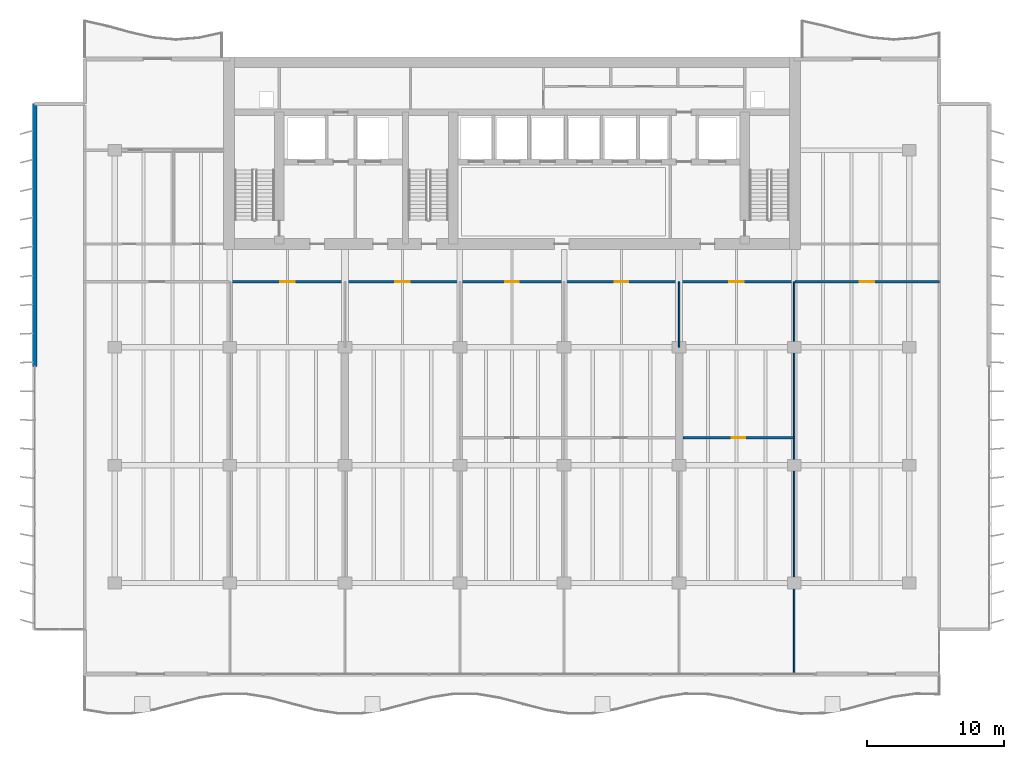
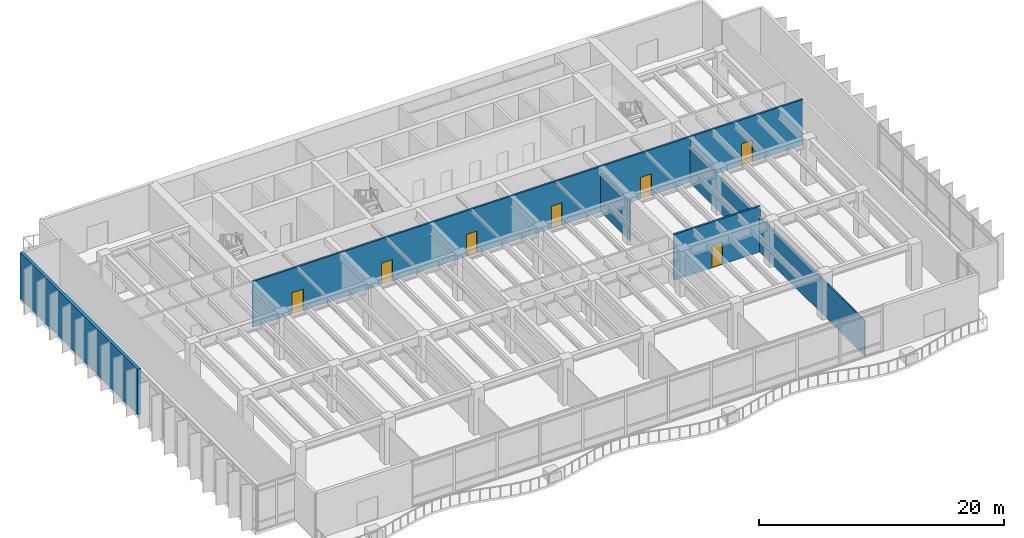
# One storey, part 9 of 16: 7 doors, 6 walls, 7 openings.
"""IFC4 building model written with IfcOpenShell, lengths in metres."""

import ifcopenshell
import ifcopenshell.guid

model = None  # the IFC model being written
_history = None  # IfcOwnerHistory: only IFC2X3 demands one
_inside = {}  # id of a spatial element -> (the spatial element, [elements in it])
_under = {}  # id of a project, library or spatial element -> (it, [spatial elements below it])
_declared = {}  # id of a project -> (the project, [libraries it declares])
_typed = {}  # id of a type object -> (the type object, [elements of that type])
_made_of = {}  # id of a material, layer set ... -> (it, [elements and type objects made of it])


def new_model(schema):
    """Start an empty IFC model of exactly this schema.

    Asked for "IFC4X3", IfcOpenShell would pick the latest addendum, in which some entities
    have other attributes; the version numbers below select the first issue.
    IFC2X3 requires an IfcOwnerHistory on every rooted entity: one is made here for all.
    """
    global model, _history
    if schema == "IFC4X3":
        model = ifcopenshell.file(schema_version=(4, 3, 0, 0))
    else:
        model = ifcopenshell.file(schema=schema)
    _inside.clear()
    _under.clear()
    _declared.clear()
    _typed.clear()
    _made_of.clear()
    _history = None
    if model.schema == "IFC2X3":
        org = make("IfcOrganization", Name="unknown")
        user = make(
            "IfcPersonAndOrganization",
            ThePerson=make("IfcPerson", FamilyName="unknown"),
            TheOrganization=org,
        )
        app = make(
            "IfcApplication",
            ApplicationDeveloper=org,
            Version="unknown",
            ApplicationFullName="unknown",
            ApplicationIdentifier="unknown",
        )
        _history = make(
            "IfcOwnerHistory",
            OwningUser=user,
            OwningApplication=app,
            ChangeAction="ADDED",
            CreationDate=0,
        )
    return model


def make(cls, **values):
    """One entity of the class cls with the attributes given. An attribute that is None is left unset."""
    return model.create_entity(
        cls, **{name: value for name, value in values.items() if value is not None}
    )


def rooted(cls, **values):
    """An entity with a GlobalId (a new one), such as an element, a storey or a relation."""
    return make(cls, GlobalId=ifcopenshell.guid.new(), OwnerHistory=_history, **values)


def si_unit(unit_type, name, prefix=None):
    """IfcSIUnit, for example si_unit("LENGTHUNIT", "METRE", prefix="MILLI")."""
    return make("IfcSIUnit", UnitType=unit_type, Prefix=prefix, Name=name)


def assignment(units):
    """IfcUnitAssignment: the units of a project."""
    return None if units is None else make("IfcUnitAssignment", Units=units)


def point(xyz):
    """IfcCartesianPoint."""
    return None if xyz is None else make("IfcCartesianPoint", Coordinates=xyz)


def direction(xyz):
    """IfcDirection."""
    return None if xyz is None else make("IfcDirection", DirectionRatios=xyz)


def frame(location, z_axis=None, x_axis=None):
    """IfcAxis2Placement3D, a coordinate frame: its origin and axes. An axis left out is left unset."""
    return make(
        "IfcAxis2Placement3D",
        Location=point(location),
        Axis=direction(z_axis),
        RefDirection=direction(x_axis),
    )


def frame_2d(location, x_axis=None):
    """IfcAxis2Placement2D, a coordinate frame in the plane: its origin and x axis."""
    return make(
        "IfcAxis2Placement2D", Location=point(location), RefDirection=direction(x_axis)
    )


def origin():
    """The frame at (0, 0, 0) with its axes left unset."""
    return frame((0.0, 0.0, 0.0))


def place(relative_to, where):
    """IfcLocalPlacement: puts the frame where relative to a parent placement (None: the world)."""
    return make(
        "IfcLocalPlacement", PlacementRelTo=relative_to, RelativePlacement=where
    )


def context(
    kind, dimensions, precision=None, world=None, true_north=None, identifier=None
):
    """IfcGeometricRepresentationContext, for example the 3D "Model" context."""
    return make(
        "IfcGeometricRepresentationContext",
        ContextIdentifier=identifier,
        ContextType=kind,
        CoordinateSpaceDimension=dimensions,
        Precision=precision,
        WorldCoordinateSystem=world,
        TrueNorth=true_north,
    )


def subcontext(parent, identifier, kind, view, scale=None):
    """IfcGeometricRepresentationSubContext, for example "Body" below "Model"."""
    return make(
        "IfcGeometricRepresentationSubContext",
        ContextIdentifier=identifier,
        ContextType=kind,
        ParentContext=parent,
        TargetScale=scale,
        TargetView=view,
    )


def project(units=None, contexts=None):
    """IfcProject with its units and contexts."""
    return rooted(
        "IfcProject",
        Name="project",
        RepresentationContexts=contexts,
        UnitsInContext=assignment(units),
    )


def spatial(cls, under=None, at=None, **own):
    """A site, building, storey or space (cls), placed at a placement, below another one or the project."""
    s = rooted(cls, ObjectPlacement=at, **own)
    if under is not None:
        _under.setdefault(under.id(), (under, []))[1].append(s)
    return s


def profile(cls, at=None, kind="AREA", **sizes):
    """A parametric profile (cls). Its sizes go by their IFC names, for example OverallWidth=200.0."""
    return make(cls, ProfileType=kind, Position=at, **sizes)


def rectangle(**sizes):
    """IfcRectangleProfileDef."""
    return profile("IfcRectangleProfileDef", **sizes)


def extrude(swept, where, along, depth):
    """IfcExtrudedAreaSolid: the profile swept, set in the frame where, extruded along a direction by depth."""
    return make(
        "IfcExtrudedAreaSolid",
        SweptArea=swept,
        Position=where,
        ExtrudedDirection=direction(along),
        Depth=depth,
    )


def shape(context_of_items, identifier, shape_type, items):
    """IfcShapeRepresentation: the items that make up one representation, for example the "Body"."""
    return make(
        "IfcShapeRepresentation",
        ContextOfItems=context_of_items,
        RepresentationIdentifier=identifier,
        RepresentationType=shape_type,
        Items=items,
    )


def material(Name=None, Category=None):
    """IfcMaterial."""
    return make("IfcMaterial", Name=Name, Category=Category)


def layer(
    of_material, thickness, ventilated=None, Name=None, Category=None, Priority=None
):
    """IfcMaterialLayer: one layer of a wall or slab, of a material (None: an air gap)."""
    return make(
        "IfcMaterialLayer",
        Material=of_material,
        LayerThickness=thickness,
        IsVentilated=ventilated,
        Name=Name,
        Category=Category,
        Priority=Priority,
    )


def layer_set(layers, Name=None):
    """IfcMaterialLayerSet."""
    return make("IfcMaterialLayerSet", MaterialLayers=layers, LayerSetName=Name)


def made_of(thing, what):
    """Note that an element or type object is made of a material, layer set ...; save() writes the relation."""
    if what is not None:
        _made_of.setdefault(what.id(), (what, []))[1].append(thing)
    return thing


def type_object(cls, material=None, **own):
    """A type object (cls), such as IfcWallType, which elements share."""
    return made_of(rooted(cls, **own), material)


def element(
    cls,
    number,
    at=None,
    inside=None,
    cuts=None,
    type_object=None,
    material=None,
    context=None,
    identifier="Body",
    shape_type=None,
    held_by="IfcProductDefinitionShape",
    body=None,
    shapes=None,
    **own,
):
    """One element of the class cls, such as IfcWall. Its Tag is "e" and its number.

    at: its placement. inside: the storey or other place that contains it. cuts: it is an
    opening in that element (IfcRelVoidsElement). A single representation is given by context,
    identifier, shape_type and body (its items); several are given by shapes. held_by: the class
    of the entity that holds the representations. save() writes the other relations.
    """
    e = rooted(cls, Tag="e%d" % number, ObjectPlacement=at, **own)
    if body is not None:
        shapes = [shape(context, identifier, shape_type, body)]
    if shapes is not None:
        e.Representation = make(held_by, Representations=shapes)
    if inside is not None:
        _inside.setdefault(inside.id(), (inside, []))[1].append(e)
    if cuts is not None:
        rooted(
            "IfcRelVoidsElement", RelatingBuildingElement=cuts, RelatedOpeningElement=e
        )
    if type_object is not None:
        _typed.setdefault(type_object.id(), (type_object, []))[1].append(e)
    return made_of(e, material)


def fill(opening, filler):
    """IfcRelFillsElement: the door or window that sits in an opening."""
    return rooted(
        "IfcRelFillsElement",
        RelatingOpeningElement=opening,
        RelatedBuildingElement=filler,
    )


def aggregate(whole, parts):
    """IfcRelAggregates: a whole, such as a stair, and the parts it consists of."""
    return rooted("IfcRelAggregates", RelatingObject=whole, RelatedObjects=parts)


def save(model, path):
    """Write the relations noted so far, then the file.

    IfcRelAggregates (storeys below a building ...), IfcRelContainedInSpatialStructure (elements
    in a storey), IfcRelDefinesByType, IfcRelAssociatesMaterial and IfcRelDeclares: one each for
    every whole, place, type object, material and project.
    """
    for whole, parts in _under.values():
        aggregate(whole, parts)
    for where, things in _inside.values():
        rooted(
            "IfcRelContainedInSpatialStructure",
            RelatedElements=things,
            RelatingStructure=where,
        )
    for kind, things in _typed.values():
        rooted("IfcRelDefinesByType", RelatedObjects=things, RelatingType=kind)
    for what, things in _made_of.values():
        rooted("IfcRelAssociatesMaterial", RelatedObjects=things, RelatingMaterial=what)
    for by, libraries in _declared.values():
        rooted("IfcRelDeclares", RelatingContext=by, RelatedDefinitions=libraries)
    model.write(path)


model = new_model("IFC4")

# Units and contexts
model_context = context("Model", 3, precision=1e-05, world=origin(), true_north=direction((0.0, 1.0)))
body_context = subcontext(model_context, "Body", "Model", "MODEL_VIEW")
ifc_project = project(units=[si_unit("LENGTHUNIT", "METRE"), si_unit("AREAUNIT", "SQUARE_METRE"), si_unit("VOLUMEUNIT", "CUBIC_METRE"), si_unit("PLANEANGLEUNIT", "RADIAN"), si_unit("MASSUNIT", "GRAM", prefix="KILO")], contexts=[model_context])

# Site, building, storey
site_placement = place(None, origin())
site = spatial("IfcSite", under=ifc_project, at=site_placement, CompositionType="ELEMENT")
building_placement = place(site_placement, origin())
building = spatial("IfcBuilding", under=site, at=building_placement, Name="Caelmar Bay Residences", CompositionType="ELEMENT")
storey_placement = place(building_placement, frame((0.0, 0.0, 97.800048828125)))
storey = spatial("IfcBuildingStorey", under=building, at=storey_placement, Name="L26", CompositionType="ELEMENT", Elevation=97.800048828125)

# Wall, opening, door
ifc_material_1 = material(Name="Double-stud acoustic fire-rated gypsum partition 180 mm")
ifc_layer_1 = layer(ifc_material_1, 0.179931640625)
ifc_layer_set_1 = layer_set([ifc_layer_1], Name="Double-stud acoustic fire-rated gypsum partition 180 mm")
wall_type_1 = type_object("IfcWallType", Name="W-COR-200", PredefinedType="PARTITIONING", material=ifc_layer_set_1)
wall_1_placement = place(storey_placement, frame((51.3701171875, 22.800048828125, 0.0), z_axis=(0.0, 0.0, 1.0), x_axis=(1.0, 0.0, 0.0)))
wall_1 = element("IfcWall", 1, at=wall_1_placement, inside=storey, type_object=wall_type_1, Name="L26 Partition Wall H030", PredefinedType="PARTITIONING", context=body_context, shape_type="SweptSolid", body=[
    extrude(rectangle(XDim=8.1298828125, YDim=0.179931640625, at=frame_2d((4.06494140625, 0.0))), origin(), (0.0, 0.0, 1.0), 4.550048828125),
])
opening_1_placement = place(wall_1_placement, frame((3.56494140625, 0.0, 0.0)))
opening_1 = element("IfcOpeningElement", 2, at=opening_1_placement, cuts=wall_1, Name="Opening D-L26-127", PredefinedType="OPENING", context=body_context, shape_type="SweptSolid", body=[
    extrude(rectangle(XDim=1.0, YDim=2.199951171875, at=frame_2d((0.5, 1.10009765625))), frame((0.0, 0.099853515625, 0.0), z_axis=(0.0, -1.0, 0.0), x_axis=(1.0, 0.0, 0.0)), (0.0, 0.0, 1.0), 0.199951171875),
])
ifc_material_2 = material(Name="Fire-rated steel and walnut architectural door assembly", Category="steel")
ifc_layer_2 = layer(ifc_material_2, 0.050048828125)
ifc_layer_set_2 = layer_set([ifc_layer_2], Name="Fire-rated steel and walnut architectural door assembly")
door_type_1 = type_object("IfcDoorType", Name="D-UNIT-1000", OperationType="NOTDEFINED", PredefinedType="DOOR", material=ifc_layer_set_2)
door_1_placement = place(opening_1_placement, origin())
door_1 = element("IfcDoor", 3, at=door_1_placement, inside=storey, type_object=door_type_1, Name="L26 Sky Lobby 1 Kitchen Door", OperationType="SINGLE_SWING_RIGHT", OverallHeight=2.199951171875, OverallWidth=1.0, PredefinedType="DOOR", context=body_context, shape_type="SweptSolid", body=[
    extrude(rectangle(XDim=1.0, YDim=2.199951171875, at=frame_2d((0.5, 1.10009765625))), frame((0.0, 0.02490234375, 0.0), z_axis=(0.0, -1.0, 0.0), x_axis=(1.0, 0.0, 0.0)), (0.0, 0.0, 1.0), 0.050048828125),
])
fill(opening_1, door_1)

# Wall, openings, doors
wall_2_placement = place(storey_placement, frame((18.300048828125, 34.199951171875, 0.0), z_axis=(0.0, 0.0, 1.0), x_axis=(1.0, 0.0, 0.0)))
wall_2 = element("IfcWall", 4, at=wall_2_placement, inside=storey, type_object=wall_type_1, Name="L26 Partition Wall H032", PredefinedType="PARTITIONING", context=body_context, shape_type="SweptSolid", body=[
    extrude(rectangle(XDim=41.199951171875, YDim=0.179931640625, at=frame_2d((20.60009765625, 0.0))), origin(), (0.0, 0.0, 1.0), 4.550048828125),
])
opening_2_placement = place(wall_2_placement, frame((36.47509765625, 0.0, 0.0)))
opening_2 = element("IfcOpeningElement", 5, at=opening_2_placement, cuts=wall_2, Name="Opening D-L26-125", PredefinedType="OPENING", context=body_context, shape_type="SweptSolid", body=[
    extrude(rectangle(XDim=1.050048828125, YDim=2.14990234375, at=frame_2d((0.52490234375, 1.074951171875))), frame((0.0, 0.099853515625, 0.0), z_axis=(0.0, -1.0, 0.0), x_axis=(1.0, 0.0, 0.0)), (0.0, 0.0, 1.0), 0.199951171875),
])
opening_3_placement = place(wall_2_placement, frame((3.675048828125, 0.0, 0.0)))
opening_3 = element("IfcOpeningElement", 6, at=opening_3_placement, cuts=wall_2, Name="Opening D-L26-129", PredefinedType="OPENING", context=body_context, shape_type="SweptSolid", body=[
    extrude(rectangle(XDim=1.050048828125, YDim=2.14990234375, at=frame_2d((0.52490234375, 1.074951171875))), frame((0.0, 0.099853515625, 0.0), z_axis=(0.0, -1.0, 0.0), x_axis=(1.0, 0.0, 0.0)), (0.0, 0.0, 1.0), 0.199951171875),
])
opening_4_placement = place(wall_2_placement, frame((12.074951171875, 0.0, 0.0)))
opening_4 = element("IfcOpeningElement", 7, at=opening_4_placement, cuts=wall_2, Name="Opening D-L26-130", PredefinedType="OPENING", context=body_context, shape_type="SweptSolid", body=[
    extrude(rectangle(XDim=1.050048828125, YDim=2.14990234375, at=frame_2d((0.52490234375, 1.074951171875))), frame((0.0, 0.099853515625, 0.0), z_axis=(0.0, -1.0, 0.0), x_axis=(1.0, 0.0, 0.0)), (0.0, 0.0, 1.0), 0.199951171875),
])
opening_5_placement = place(wall_2_placement, frame((20.10009765625, 0.0, 0.0)))
opening_5 = element("IfcOpeningElement", 8, at=opening_5_placement, cuts=wall_2, Name="Opening D-L26-131", PredefinedType="OPENING", context=body_context, shape_type="SweptSolid", body=[
    extrude(rectangle(XDim=1.0, YDim=2.199951171875, at=frame_2d((0.5, 1.10009765625))), frame((0.0, 0.099853515625, 0.0), z_axis=(0.0, -1.0, 0.0), x_axis=(1.0, 0.0, 0.0)), (0.0, 0.0, 1.0), 0.199951171875),
])
opening_6_placement = place(wall_2_placement, frame((28.10009765625, 0.0, 0.0)))
opening_6 = element("IfcOpeningElement", 9, at=opening_6_placement, cuts=wall_2, Name="Opening D-L26-132", PredefinedType="OPENING", context=body_context, shape_type="SweptSolid", body=[
    extrude(rectangle(XDim=1.0, YDim=2.199951171875, at=frame_2d((0.5, 1.10009765625))), frame((0.0, 0.099853515625, 0.0), z_axis=(0.0, -1.0, 0.0), x_axis=(1.0, 0.0, 0.0)), (0.0, 0.0, 1.0), 0.199951171875),
])
ifc_layer_3 = layer(ifc_material_2, 0.050048828125)
ifc_layer_set_3 = layer_set([ifc_layer_3], Name="Fire-rated steel and walnut architectural door assembly")
door_type_2 = type_object("IfcDoorType", Name="D-FSAE-1050", OperationType="NOTDEFINED", PredefinedType="DOOR", material=ifc_layer_set_3)
door_2_placement = place(opening_2_placement, origin())
door_2 = element("IfcDoor", 10, at=door_2_placement, inside=storey, type_object=door_type_2, Name="L26 Sky Lobby 1 Fitness Studio Door", OperationType="SINGLE_SWING_RIGHT", OverallHeight=2.14990234375, OverallWidth=1.050048828125, PredefinedType="DOOR", context=body_context, shape_type="SweptSolid", body=[
    extrude(rectangle(XDim=1.050048828125, YDim=2.14990234375, at=frame_2d((0.52490234375, 1.074951171875))), frame((0.0, 0.02490234375, 0.0), z_axis=(0.0, -1.0, 0.0), x_axis=(1.0, 0.0, 0.0)), (0.0, 0.0, 1.0), 0.050048828125),
])
fill(opening_2, door_2)
door_3_placement = place(opening_3_placement, origin())
door_3 = element("IfcDoor", 11, at=door_3_placement, inside=storey, type_object=door_type_2, Name="L26 Sky Lobby 1 Study Library Door", OperationType="SINGLE_SWING_RIGHT", OverallHeight=2.14990234375, OverallWidth=1.050048828125, PredefinedType="DOOR", context=body_context, shape_type="SweptSolid", body=[
    extrude(rectangle(XDim=1.050048828125, YDim=2.14990234375, at=frame_2d((0.52490234375, 1.074951171875))), frame((0.0, 0.02490234375, 0.0), z_axis=(0.0, -1.0, 0.0), x_axis=(1.0, 0.0, 0.0)), (0.0, 0.0, 1.0), 0.050048828125),
])
fill(opening_3, door_3)
door_4_placement = place(opening_4_placement, origin())
door_4 = element("IfcDoor", 12, at=door_4_placement, inside=storey, type_object=door_type_2, Name="L26 Sky Lobby 1 Residents Lounge Door", OperationType="SINGLE_SWING_LEFT", OverallHeight=2.14990234375, OverallWidth=1.050048828125, PredefinedType="DOOR", context=body_context, shape_type="SweptSolid", body=[
    extrude(rectangle(XDim=1.050048828125, YDim=2.14990234375, at=frame_2d((0.52490234375, 1.074951171875))), frame((0.0, 0.02490234375, 0.0), z_axis=(0.0, -1.0, 0.0), x_axis=(1.0, 0.0, 0.0)), (0.0, 0.0, 1.0), 0.050048828125),
])
fill(opening_4, door_4)
door_5_placement = place(opening_5_placement, origin())
door_5 = element("IfcDoor", 13, at=door_5_placement, inside=storey, type_object=door_type_1, Name="L26 Sky Lobby 1 Tea Pantry Door", OperationType="SINGLE_SWING_RIGHT", OverallHeight=2.199951171875, OverallWidth=1.0, PredefinedType="DOOR", context=body_context, shape_type="SweptSolid", body=[
    extrude(rectangle(XDim=1.0, YDim=2.199951171875, at=frame_2d((0.5, 1.10009765625))), frame((0.0, 0.02490234375, 0.0), z_axis=(0.0, -1.0, 0.0), x_axis=(1.0, 0.0, 0.0)), (0.0, 0.0, 1.0), 0.050048828125),
])
fill(opening_5, door_5)
door_6_placement = place(opening_6_placement, origin())
door_6 = element("IfcDoor", 14, at=door_6_placement, inside=storey, type_object=door_type_1, Name="L26 Sky Lobby 1 Service Kitchen Door", OperationType="SINGLE_SWING_LEFT", OverallHeight=2.199951171875, OverallWidth=1.0, PredefinedType="DOOR", context=body_context, shape_type="SweptSolid", body=[
    extrude(rectangle(XDim=1.0, YDim=2.199951171875, at=frame_2d((0.5, 1.10009765625))), frame((0.0, 0.02490234375, 0.0), z_axis=(0.0, -1.0, 0.0), x_axis=(1.0, 0.0, 0.0)), (0.0, 0.0, 1.0), 0.050048828125),
])
fill(opening_6, door_6)

# Wall, opening, door
wall_3_placement = place(storey_placement, frame((59.550048828125, 34.199951171875, 0.0), z_axis=(0.0, 0.0, 1.0), x_axis=(1.0, 0.0, 0.0)))
wall_3 = element("IfcWall", 15, at=wall_3_placement, inside=storey, type_object=wall_type_1, Name="L26 Partition Wall H033", PredefinedType="PARTITIONING", context=body_context, shape_type="SweptSolid", body=[
    extrude(rectangle(XDim=10.550048828125, YDim=0.179931640625, at=frame_2d((5.27490234375, 0.0))), origin(), (0.0, 0.0, 1.0), 4.550048828125),
])
opening_7_placement = place(wall_3_placement, frame((4.75, 0.0, 0.0)))
opening_7 = element("IfcOpeningElement", 16, at=opening_7_placement, cuts=wall_3, Name="Opening D-L26-126", PredefinedType="OPENING", context=body_context, shape_type="SweptSolid", body=[
    extrude(rectangle(XDim=1.050048828125, YDim=2.14990234375, at=frame_2d((0.52490234375, 1.074951171875))), frame((0.0, 0.099853515625, 0.0), z_axis=(0.0, -1.0, 0.0), x_axis=(1.0, 0.0, 0.0)), (0.0, 0.0, 1.0), 0.199951171875),
])
door_7_placement = place(opening_7_placement, origin())
door_7 = element("IfcDoor", 17, at=door_7_placement, inside=storey, type_object=door_type_2, Name="L26 Sky Lobby 1 Wellness Studio Door", OperationType="SINGLE_SWING_LEFT", OverallHeight=2.14990234375, OverallWidth=1.050048828125, PredefinedType="DOOR", context=body_context, shape_type="SweptSolid", body=[
    extrude(rectangle(XDim=1.050048828125, YDim=2.14990234375, at=frame_2d((0.52490234375, 1.074951171875))), frame((0.0, 0.02490234375, 0.0), z_axis=(0.0, -1.0, 0.0), x_axis=(1.0, 0.0, 0.0)), (0.0, 0.0, 1.0), 0.050048828125),
])
fill(opening_7, door_7)

# Walls
ifc_material_3 = material(Name="Precast concrete f'c 40 MPa (6,000 psi)", Category="concrete")
ifc_layer_4 = layer(ifc_material_3, 0.300048828125)
ifc_layer_set_4 = layer_set([ifc_layer_4], Name="Precast concrete f'c 40 MPa (6,000 psi)")
wall_type_2 = type_object("IfcWallType", Name="W-EXT-300", PredefinedType="STANDARD", material=ifc_layer_set_4)
wall_4_placement = place(storey_placement, frame((4.050048828125, 28.0, 0.0), z_axis=(0.0, 0.0, 1.0), x_axis=(0.0, 1.0, 0.0)))
element("IfcWall", 18, at=wall_4_placement, inside=storey, type_object=wall_type_2, Name="L26 West Rear Exterior Wall", PredefinedType="STANDARD", context=body_context, shape_type="SweptSolid", body=[
    extrude(rectangle(XDim=19.199951171875, YDim=0.300048828125, at=frame_2d((9.60009765625, 0.0))), origin(), (0.0, 0.0, 1.0), 4.550048828125),
])
ifc_material_4 = material(Name="Acoustic metal-stud gypsum partition 120 mm")
ifc_layer_5 = layer(ifc_material_4, 0.1201171875)
ifc_layer_set_5 = layer_set([ifc_layer_5], Name="Acoustic metal-stud gypsum partition 120 mm")
wall_type_3 = type_object("IfcWallType", Name="W-PRT-120", PredefinedType="PARTITIONING", material=ifc_layer_set_5)
wall_5_placement = place(storey_placement, frame((51.10009765625, 29.405029296875, 0.0), z_axis=(0.0, 0.0, 1.0), x_axis=(0.0, 1.0, 0.0)))
element("IfcWall", 19, at=wall_5_placement, inside=storey, type_object=wall_type_3, Name="L26 Partition Wall V024", PredefinedType="PARTITIONING", context=body_context, shape_type="SweptSolid", body=[
    extrude(rectangle(XDim=4.794921875, YDim=0.1201171875, at=frame_2d((2.3974609375, 0.0))), origin(), (0.0, 0.0, 1.0), 3.8349609375),
])
wall_6_placement = place(storey_placement, frame((59.5, 5.655029296875, 0.0), z_axis=(0.0, 0.0, 1.0), x_axis=(0.0, 1.0, 0.0)))
element("IfcWall", 20, at=wall_6_placement, inside=storey, type_object=wall_type_3, Name="L26 Partition Wall V027", PredefinedType="PARTITIONING", context=body_context, shape_type="SweptSolid", body=[
    extrude(rectangle(XDim=28.544921875, YDim=0.1201171875, at=frame_2d((14.2724609375, 0.0))), origin(), (0.0, 0.0, 1.0), 3.513916015625),
])

save(model, "model.ifc")
